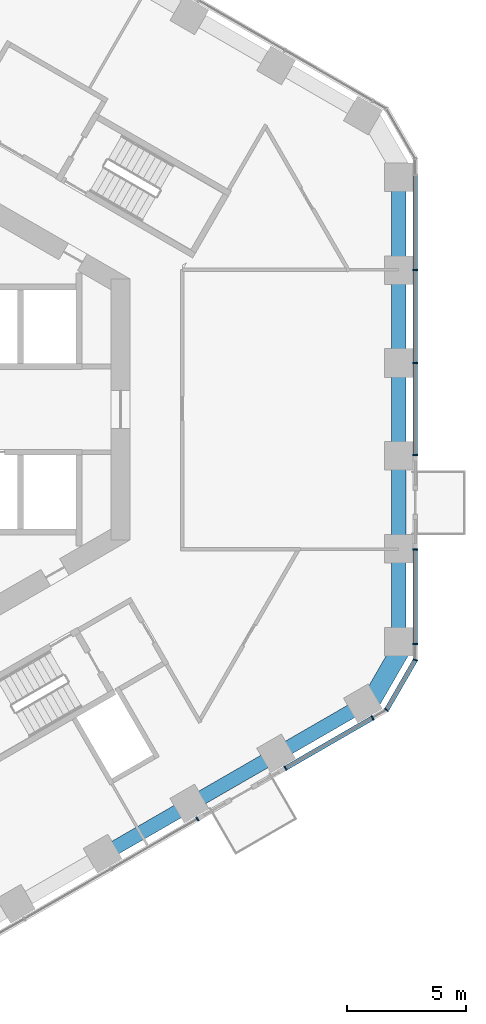
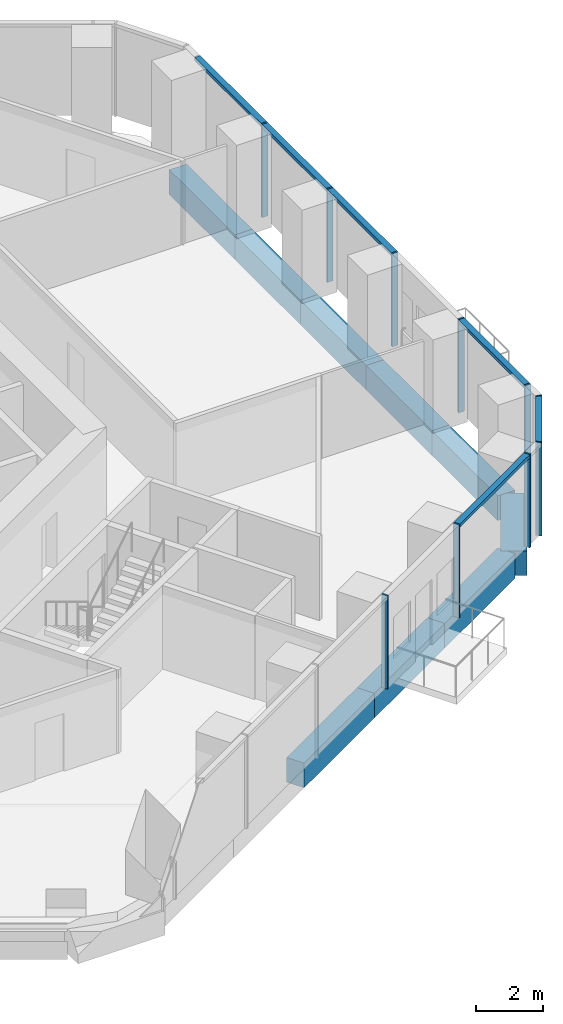
# One storey, part 5 of 20: 14 members, 9 beams, 5 elements without a shape of their own.
"""IFC4 building model written with IfcOpenShell, lengths in metres."""

import ifcopenshell
import ifcopenshell.guid

model = None  # the IFC model being written
_history = None  # IfcOwnerHistory: only IFC2X3 demands one
_inside = {}  # id of a spatial element -> (the spatial element, [elements in it])
_under = {}  # id of a project, library or spatial element -> (it, [spatial elements below it])
_declared = {}  # id of a project -> (the project, [libraries it declares])
_typed = {}  # id of a type object -> (the type object, [elements of that type])
_made_of = {}  # id of a material, layer set ... -> (it, [elements and type objects made of it])


def new_model(schema):
    """Start an empty IFC model of exactly this schema.

    Asked for "IFC4X3", IfcOpenShell would pick the latest addendum, in which some entities
    have other attributes; the version numbers below select the first issue.
    IFC2X3 requires an IfcOwnerHistory on every rooted entity: one is made here for all.
    """
    global model, _history
    if schema == "IFC4X3":
        model = ifcopenshell.file(schema_version=(4, 3, 0, 0))
    else:
        model = ifcopenshell.file(schema=schema)
    _inside.clear()
    _under.clear()
    _declared.clear()
    _typed.clear()
    _made_of.clear()
    _history = None
    if model.schema == "IFC2X3":
        org = make("IfcOrganization", Name="unknown")
        user = make(
            "IfcPersonAndOrganization",
            ThePerson=make("IfcPerson", FamilyName="unknown"),
            TheOrganization=org,
        )
        app = make(
            "IfcApplication",
            ApplicationDeveloper=org,
            Version="unknown",
            ApplicationFullName="unknown",
            ApplicationIdentifier="unknown",
        )
        _history = make(
            "IfcOwnerHistory",
            OwningUser=user,
            OwningApplication=app,
            ChangeAction="ADDED",
            CreationDate=0,
        )
    return model


def make(cls, **values):
    """One entity of the class cls with the attributes given. An attribute that is None is left unset."""
    return model.create_entity(
        cls, **{name: value for name, value in values.items() if value is not None}
    )


def rooted(cls, **values):
    """An entity with a GlobalId (a new one), such as an element, a storey or a relation."""
    return make(cls, GlobalId=ifcopenshell.guid.new(), OwnerHistory=_history, **values)


def si_unit(unit_type, name, prefix=None):
    """IfcSIUnit, for example si_unit("LENGTHUNIT", "METRE", prefix="MILLI")."""
    return make("IfcSIUnit", UnitType=unit_type, Prefix=prefix, Name=name)


def assignment(units):
    """IfcUnitAssignment: the units of a project."""
    return None if units is None else make("IfcUnitAssignment", Units=units)


def point(xyz):
    """IfcCartesianPoint."""
    return None if xyz is None else make("IfcCartesianPoint", Coordinates=xyz)


def direction(xyz):
    """IfcDirection."""
    return None if xyz is None else make("IfcDirection", DirectionRatios=xyz)


def frame(location, z_axis=None, x_axis=None):
    """IfcAxis2Placement3D, a coordinate frame: its origin and axes. An axis left out is left unset."""
    return make(
        "IfcAxis2Placement3D",
        Location=point(location),
        Axis=direction(z_axis),
        RefDirection=direction(x_axis),
    )


def frame_2d(location, x_axis=None):
    """IfcAxis2Placement2D, a coordinate frame in the plane: its origin and x axis."""
    return make(
        "IfcAxis2Placement2D", Location=point(location), RefDirection=direction(x_axis)
    )


def origin():
    """The frame at (0, 0, 0) with its axes left unset."""
    return frame((0.0, 0.0, 0.0))


def origin_2d():
    """The frame at (0, 0) in the plane with its x axis left unset."""
    return frame_2d((0.0, 0.0))


def place(relative_to, where):
    """IfcLocalPlacement: puts the frame where relative to a parent placement (None: the world)."""
    return make(
        "IfcLocalPlacement", PlacementRelTo=relative_to, RelativePlacement=where
    )


def context(
    kind, dimensions, precision=None, world=None, true_north=None, identifier=None
):
    """IfcGeometricRepresentationContext, for example the 3D "Model" context."""
    return make(
        "IfcGeometricRepresentationContext",
        ContextIdentifier=identifier,
        ContextType=kind,
        CoordinateSpaceDimension=dimensions,
        Precision=precision,
        WorldCoordinateSystem=world,
        TrueNorth=true_north,
    )


def subcontext(parent, identifier, kind, view, scale=None):
    """IfcGeometricRepresentationSubContext, for example "Body" below "Model"."""
    return make(
        "IfcGeometricRepresentationSubContext",
        ContextIdentifier=identifier,
        ContextType=kind,
        ParentContext=parent,
        TargetScale=scale,
        TargetView=view,
    )


def project(units=None, contexts=None):
    """IfcProject with its units and contexts."""
    return rooted(
        "IfcProject",
        Name="project",
        RepresentationContexts=contexts,
        UnitsInContext=assignment(units),
    )


def spatial(cls, under=None, at=None, **own):
    """A site, building, storey or space (cls), placed at a placement, below another one or the project."""
    s = rooted(cls, ObjectPlacement=at, **own)
    if under is not None:
        _under.setdefault(under.id(), (under, []))[1].append(s)
    return s


def profile(cls, at=None, kind="AREA", **sizes):
    """A parametric profile (cls). Its sizes go by their IFC names, for example OverallWidth=200.0."""
    return make(cls, ProfileType=kind, Position=at, **sizes)


def rectangle(**sizes):
    """IfcRectangleProfileDef."""
    return profile("IfcRectangleProfileDef", **sizes)


def extrude(swept, where, along, depth):
    """IfcExtrudedAreaSolid: the profile swept, set in the frame where, extruded along a direction by depth."""
    return make(
        "IfcExtrudedAreaSolid",
        SweptArea=swept,
        Position=where,
        ExtrudedDirection=direction(along),
        Depth=depth,
    )


def shape(context_of_items, identifier, shape_type, items):
    """IfcShapeRepresentation: the items that make up one representation, for example the "Body"."""
    return make(
        "IfcShapeRepresentation",
        ContextOfItems=context_of_items,
        RepresentationIdentifier=identifier,
        RepresentationType=shape_type,
        Items=items,
    )


def material(Name=None, Category=None):
    """IfcMaterial."""
    return make("IfcMaterial", Name=Name, Category=Category)


def layer(
    of_material, thickness, ventilated=None, Name=None, Category=None, Priority=None
):
    """IfcMaterialLayer: one layer of a wall or slab, of a material (None: an air gap)."""
    return make(
        "IfcMaterialLayer",
        Material=of_material,
        LayerThickness=thickness,
        IsVentilated=ventilated,
        Name=Name,
        Category=Category,
        Priority=Priority,
    )


def layer_set(layers, Name=None):
    """IfcMaterialLayerSet."""
    return make("IfcMaterialLayerSet", MaterialLayers=layers, LayerSetName=Name)


def material_profile(
    of_material, cross_section, Name=None, Category=None, Priority=None
):
    """IfcMaterialProfile: a cross section and its material."""
    return make(
        "IfcMaterialProfile",
        Name=Name,
        Material=of_material,
        Profile=cross_section,
        Priority=Priority,
        Category=Category,
    )


def profile_set(profiles, Name=None, composite=None):
    """IfcMaterialProfileSet."""
    return make(
        "IfcMaterialProfileSet",
        Name=Name,
        MaterialProfiles=profiles,
        CompositeProfile=composite,
    )


def made_of(thing, what):
    """Note that an element or type object is made of a material, layer set ...; save() writes the relation."""
    if what is not None:
        _made_of.setdefault(what.id(), (what, []))[1].append(thing)
    return thing


def type_object(cls, material=None, **own):
    """A type object (cls), such as IfcWallType, which elements share."""
    return made_of(rooted(cls, **own), material)


def element(
    cls,
    number,
    at=None,
    inside=None,
    cuts=None,
    type_object=None,
    material=None,
    context=None,
    identifier="Body",
    shape_type=None,
    held_by="IfcProductDefinitionShape",
    body=None,
    shapes=None,
    **own,
):
    """One element of the class cls, such as IfcWall. Its Tag is "e" and its number.

    at: its placement. inside: the storey or other place that contains it. cuts: it is an
    opening in that element (IfcRelVoidsElement). A single representation is given by context,
    identifier, shape_type and body (its items); several are given by shapes. held_by: the class
    of the entity that holds the representations. save() writes the other relations.
    """
    e = rooted(cls, Tag="e%d" % number, ObjectPlacement=at, **own)
    if body is not None:
        shapes = [shape(context, identifier, shape_type, body)]
    if shapes is not None:
        e.Representation = make(held_by, Representations=shapes)
    if inside is not None:
        _inside.setdefault(inside.id(), (inside, []))[1].append(e)
    if cuts is not None:
        rooted(
            "IfcRelVoidsElement", RelatingBuildingElement=cuts, RelatedOpeningElement=e
        )
    if type_object is not None:
        _typed.setdefault(type_object.id(), (type_object, []))[1].append(e)
    return made_of(e, material)


def aggregate(whole, parts):
    """IfcRelAggregates: a whole, such as a stair, and the parts it consists of."""
    return rooted("IfcRelAggregates", RelatingObject=whole, RelatedObjects=parts)


def save(model, path):
    """Write the relations noted so far, then the file.

    IfcRelAggregates (storeys below a building ...), IfcRelContainedInSpatialStructure (elements
    in a storey), IfcRelDefinesByType, IfcRelAssociatesMaterial and IfcRelDeclares: one each for
    every whole, place, type object, material and project.
    """
    for whole, parts in _under.values():
        aggregate(whole, parts)
    for where, things in _inside.values():
        rooted(
            "IfcRelContainedInSpatialStructure",
            RelatedElements=things,
            RelatingStructure=where,
        )
    for kind, things in _typed.values():
        rooted("IfcRelDefinesByType", RelatedObjects=things, RelatingType=kind)
    for what, things in _made_of.values():
        rooted("IfcRelAssociatesMaterial", RelatedObjects=things, RelatingMaterial=what)
    for by, libraries in _declared.values():
        rooted("IfcRelDeclares", RelatingContext=by, RelatedDefinitions=libraries)
    model.write(path)


model = new_model("IFC4")

# Units and contexts
model_context = context("Model", 3, precision=1e-05, world=origin(), true_north=direction((0.0, 1.0)))
body_context = subcontext(model_context, "Body", "Model", "MODEL_VIEW")
ifc_project = project(units=[si_unit("LENGTHUNIT", "METRE"), si_unit("AREAUNIT", "SQUARE_METRE"), si_unit("VOLUMEUNIT", "CUBIC_METRE"), si_unit("PLANEANGLEUNIT", "RADIAN"), si_unit("MASSUNIT", "GRAM", prefix="KILO")], contexts=[model_context])

# Site, building, storey
site_placement = place(None, origin())
site = spatial("IfcSite", under=ifc_project, at=site_placement, CompositionType="ELEMENT")
building_placement = place(site_placement, origin())
building = spatial("IfcBuilding", under=site, at=building_placement, Name="Ayvan Gate Tower", CompositionType="ELEMENT")
storey_placement = place(building_placement, frame((0.0, 0.0, 49.300048828125)))
storey = spatial("IfcBuildingStorey", under=building, at=storey_placement, Name="L12", CompositionType="ELEMENT", Elevation=49.300048828125)

# Beams
ifc_material_1 = material(Name="Concrete C40/50", Category="concrete")
ifc_material_profile_1 = material_profile(ifc_material_1, rectangle(XDim=0.800048828125, YDim=0.89990234375, at=origin_2d()), Name="RC 800x900")
ifc_profile_set_1 = profile_set([ifc_material_profile_1], Name="Concrete C40/50")
beam_type_1 = type_object("IfcBeamType", Name="Corner spandrel beam RC 800x900 C40/50", PredefinedType="BEAM", material=ifc_profile_set_1)
beam_1_placement = place(storey_placement, frame((19.47509765625, -12.512451171875, -0.800048828125), z_axis=(0.499990139034, 0.866031096941, 0.0), x_axis=(-0.866031096941, 0.499990139034, 0.0)))
element("IfcBeam", 1, at=beam_1_placement, inside=storey, type_object=beam_type_1, Name="SB-L12-36", PredefinedType="BEAM", context=body_context, shape_type="SweptSolid", body=[
    extrude(rectangle(XDim=0.800048828125, YDim=0.89990234375, at=origin_2d()), origin(), (0.0, 0.0, 1.0), 3.0),
])
ifc_material_profile_2 = material_profile(ifc_material_1, rectangle(XDim=0.60009765625, YDim=0.89990234375, at=origin_2d()), Name="RC 600x900")
ifc_profile_set_2 = profile_set([ifc_material_profile_2], Name="Concrete C40/50")
beam_type_2 = type_object("IfcBeamType", Name="Spandrel beam RC 600x900 C40/50", PredefinedType="BEAM", material=ifc_profile_set_2)
beam_2_placement = place(storey_placement, frame((20.78466796875, -9.804443359375, -0.800048828125), z_axis=(0.0, 1.0, 0.0), x_axis=(-1.0, 0.0, 0.0)))
element("IfcBeam", 2, at=beam_2_placement, inside=storey, type_object=beam_type_2, Name="SB-L12-1", PredefinedType="BEAM", context=body_context, shape_type="SweptSolid", body=[
    extrude(rectangle(XDim=0.60009765625, YDim=0.89990234375, at=origin_2d()), origin(), (0.0, 0.0, 1.0), 3.921875),
])
beam_3_placement = place(storey_placement, frame((20.78466796875, -5.882568359375, -0.800048828125), z_axis=(0.0, 1.0, 0.0), x_axis=(-1.0, 0.0, 0.0)))
element("IfcBeam", 3, at=beam_3_placement, inside=storey, type_object=beam_type_2, Name="SB-L12-2", PredefinedType="BEAM", context=body_context, shape_type="SweptSolid", body=[
    extrude(rectangle(XDim=0.60009765625, YDim=0.89990234375, at=origin_2d()), origin(), (0.0, 0.0, 1.0), 3.921630859375),
])
beam_4_placement = place(storey_placement, frame((20.78466796875, -1.9609375, -0.800048828125), z_axis=(0.0, 1.0, 0.0), x_axis=(-1.0, 0.0, 0.0)))
element("IfcBeam", 4, at=beam_4_placement, inside=storey, type_object=beam_type_2, Name="SB-L12-3", PredefinedType="BEAM", context=body_context, shape_type="SweptSolid", body=[
    extrude(rectangle(XDim=0.60009765625, YDim=0.89990234375, at=origin_2d()), origin(), (0.0, 0.0, 1.0), 3.921875),
])
beam_5_placement = place(storey_placement, frame((20.78466796875, 1.9609375, -0.800048828125), z_axis=(0.0, 1.0, 0.0), x_axis=(-1.0, 0.0, 0.0)))
element("IfcBeam", 5, at=beam_5_placement, inside=storey, type_object=beam_type_2, Name="SB-L12-4", PredefinedType="BEAM", context=body_context, shape_type="SweptSolid", body=[
    extrude(rectangle(XDim=0.60009765625, YDim=0.89990234375, at=origin_2d()), origin(), (0.0, 0.0, 1.0), 3.921630859375),
])
beam_6_placement = place(storey_placement, frame((20.78466796875, 5.882568359375, -0.800048828125), z_axis=(0.0, 1.0, 0.0), x_axis=(-1.0, 0.0, 0.0)))
element("IfcBeam", 6, at=beam_6_placement, inside=storey, type_object=beam_type_2, Name="SB-L12-5", PredefinedType="BEAM", context=body_context, shape_type="SweptSolid", body=[
    extrude(rectangle(XDim=0.60009765625, YDim=0.89990234375, at=origin_2d()), origin(), (0.0, 0.0, 1.0), 3.921875),
])
for number, where, z_axis, x_axis, name in (
    (7, (8.373046875, -18.702392578125, -0.800048828125), (0.866009402589, 0.500027713859, 0.0), (-0.500027713859, 0.866009402589, 0.0), "SB-L12-33"),
    (8, (12.01025390625, -16.602294921875, -0.800048828125), (0.866034573852, 0.49998411664, 0.0), (-0.49998411664, 0.866034573852, 0.0), "SB-L12-34"),
    (9, (15.6474609375, -14.50244140625, -0.800048828125), (0.866009402589, 0.500027713859, 0.0), (-0.500027713859, 0.866009402589, 0.0), "SB-L12-35"),
):
    element("IfcBeam", number, at=place(storey_placement, frame(where, z_axis=z_axis, x_axis=x_axis)), inside=storey, type_object=beam_type_2, Name=name, PredefinedType="BEAM", context=body_context, shape_type="SweptSolid", body=[
        extrude(rectangle(XDim=0.60009765625, YDim=0.89990234375, at=origin_2d()), origin(), (0.0, 0.0, 1.0), 4.199951171875),
    ])

# Curtain wall, member
ifc_material_2 = material(Name="Bronze anodised aluminium", Category="aluminium")
ifc_layer_1 = layer(ifc_material_2, 0.199951171875)
ifc_layer_set_1 = layer_set([ifc_layer_1], Name="Bronze anodised aluminium")
curtain_wall_type_1 = type_object("IfcCurtainWallType", Name="Stick curtain wall CW-1", PredefinedType="NOTDEFINED", material=ifc_layer_set_1)
curtain_wall_1_placement = place(storey_placement, origin())
curtain_wall_1 = element("IfcCurtainWall", 10, at=curtain_wall_1_placement, inside=storey, type_object=curtain_wall_type_1, Name="Stick curtain wall CW-1 L12", PredefinedType="NOTDEFINED")
ifc_material_profile_3 = material_profile(ifc_material_2, rectangle(XDim=0.199951171875, YDim=0.06005859375, at=origin_2d()), Name="Stick curtain wall CW-1 mullion 200 x 60")
ifc_profile_set_3 = profile_set([ifc_material_profile_3], Name="Bronze anodised aluminium")
member_type_1 = type_object("IfcMemberType", Name="Stick curtain wall CW-1 mullion 200 x 60", PredefinedType="MULLION", material=ifc_profile_set_3)
member_1_placement = place(storey_placement, frame((12.33154296875, -17.208984375, 0.0), z_axis=(0.0, 0.0, 1.0), x_axis=(0.5, -0.866025403784, 0.0)))
member_1 = element("IfcMember", 11, at=member_1_placement, type_object=member_type_1, Name="CW-1 mullion 4", PredefinedType="MULLION", context=body_context, shape_type="SweptSolid", body=[
    extrude(rectangle(XDim=0.199951171875, YDim=0.06005859375, at=origin_2d()), origin(), (0.0, 0.0, 1.0), 3.39990234375),
])
aggregate(curtain_wall_1, [member_1])

# Curtain wall, members
curtain_wall_2_placement = place(storey_placement, origin())
curtain_wall_2 = element("IfcCurtainWall", 12, at=curtain_wall_2_placement, inside=storey, type_object=curtain_wall_type_1, Name="Stick curtain wall CW-1 L12", PredefinedType="NOTDEFINED")
member_2_placement = place(storey_placement, frame((16.029541015625, -15.073974609375, 0.0), z_axis=(0.0, 0.0, 1.0), x_axis=(0.5, -0.866025403784, 0.0)))
member_2 = element("IfcMember", 13, at=member_2_placement, type_object=member_type_1, Name="CW-1 mullion 1", PredefinedType="MULLION", context=body_context, shape_type="SweptSolid", body=[
    extrude(rectangle(XDim=0.199951171875, YDim=0.06005859375, at=origin_2d()), origin(), (0.0, 0.0, 1.0), 3.39990234375),
])
member_3_placement = place(storey_placement, frame((19.6884765625, -12.96142578125, 0.0), z_axis=(0.0, 0.0, 1.0), x_axis=(0.5, -0.866025403784, 0.0)))
member_3 = element("IfcMember", 14, at=member_3_placement, type_object=member_type_1, Name="CW-1 mullion 2", PredefinedType="MULLION", context=body_context, shape_type="SweptSolid", body=[
    extrude(rectangle(XDim=0.199951171875, YDim=0.06005859375, at=origin_2d()), origin(), (0.0, 0.0, 1.0), 3.39990234375),
])

curtain_wall_3_placement = place(storey_placement, origin())
curtain_wall_3 = element("IfcCurtainWall", 15, at=curtain_wall_3_placement, inside=storey, type_object=curtain_wall_type_1, Name="Stick curtain wall CW-1 L12", PredefinedType="NOTDEFINED")
member_4_placement = place(storey_placement, frame((21.484619140625, -9.850341796875, 0.0), z_axis=(0.0, 0.0, 1.0), x_axis=(1.0, 0.0, 0.0)))
member_4 = element("IfcMember", 16, at=member_4_placement, type_object=member_type_1, Name="CW-1 mullion 1", PredefinedType="MULLION", context=body_context, shape_type="SweptSolid", body=[
    extrude(rectangle(XDim=0.199951171875, YDim=0.06005859375, at=origin_2d()), origin(), (0.0, 0.0, 1.0), 3.39990234375),
])
member_5_placement = place(storey_placement, frame((21.484619140625, -5.88232421875, 0.0), z_axis=(0.0, 0.0, 1.0), x_axis=(1.0, 0.0, 0.0)))
member_5 = element("IfcMember", 17, at=member_5_placement, type_object=member_type_1, Name="CW-1 mullion 2", PredefinedType="MULLION", context=body_context, shape_type="SweptSolid", body=[
    extrude(rectangle(XDim=0.199951171875, YDim=0.06005859375, at=origin_2d()), origin(), (0.0, 0.0, 1.0), 3.39990234375),
])

curtain_wall_4_placement = place(storey_placement, origin())
curtain_wall_4 = element("IfcCurtainWall", 18, at=curtain_wall_4_placement, inside=storey, type_object=curtain_wall_type_1, Name="Stick curtain wall CW-1 L12", PredefinedType="NOTDEFINED")
member_6_placement = place(storey_placement, frame((21.484619140625, -1.92041015625, 0.0), z_axis=(0.0, 0.0, 1.0), x_axis=(1.0, 0.0, 0.0)))
member_6 = element("IfcMember", 19, at=member_6_placement, type_object=member_type_1, Name="CW-1 mullion 1", PredefinedType="MULLION", context=body_context, shape_type="SweptSolid", body=[
    extrude(rectangle(XDim=0.199951171875, YDim=0.06005859375, at=origin_2d()), origin(), (0.0, 0.0, 1.0), 3.39990234375),
])
member_7_placement = place(storey_placement, frame((21.484619140625, 1.95068359375, 0.0), z_axis=(0.0, 0.0, 1.0), x_axis=(1.0, 0.0, 0.0)))
member_7 = element("IfcMember", 20, at=member_7_placement, type_object=member_type_1, Name="CW-1 mullion 2", PredefinedType="MULLION", context=body_context, shape_type="SweptSolid", body=[
    extrude(rectangle(XDim=0.199951171875, YDim=0.06005859375, at=origin_2d()), origin(), (0.0, 0.0, 1.0), 3.39990234375),
])
member_8_placement = place(storey_placement, frame((21.484619140625, 5.8525390625, 0.0), z_axis=(0.0, 0.0, 1.0), x_axis=(1.0, 0.0, 0.0)))
member_8 = element("IfcMember", 21, at=member_8_placement, type_object=member_type_1, Name="CW-1 mullion 3", PredefinedType="MULLION", context=body_context, shape_type="SweptSolid", body=[
    extrude(rectangle(XDim=0.199951171875, YDim=0.06005859375, at=origin_2d()), origin(), (0.0, 0.0, 1.0), 3.39990234375),
])

# Member
ifc_material_profile_4 = material_profile(ifc_material_2, rectangle(XDim=0.199951171875, YDim=0.1201171875, at=origin_2d()), Name="Stick curtain wall CW-1 transom 200 x 120")
ifc_profile_set_4 = profile_set([ifc_material_profile_4], Name="Bronze anodised aluminium")
member_type_2 = type_object("IfcMemberType", Name="Stick curtain wall CW-1 transom 200 x 120", PredefinedType="USERDEFINED", material=ifc_profile_set_4)
member_9_placement = place(storey_placement, frame((16.029541015625, -15.073974609375, 3.33984375), z_axis=(0.866019110416, 0.500010900276, 0.0), x_axis=(-0.500010900276, 0.866019110416, 0.0)))
member_9 = element("IfcMember", 22, at=member_9_placement, type_object=member_type_2, Name="CW-1 transom 1", ObjectType="TRANSOM", PredefinedType="USERDEFINED", context=body_context, shape_type="SweptSolid", body=[
    extrude(rectangle(XDim=0.199951171875, YDim=0.1201171875, at=origin_2d()), origin(), (0.0, 0.0, 1.0), 4.22509765625),
])

aggregate(curtain_wall_2, [member_2, member_3, member_9])

member_10_placement = place(storey_placement, frame((21.484619140625, -9.850341796875, 3.33984375), z_axis=(0.0, 1.0, 0.0), x_axis=(-1.0, 0.0, 0.0)))
member_10 = element("IfcMember", 23, at=member_10_placement, type_object=member_type_2, Name="CW-1 transom 1", ObjectType="TRANSOM", PredefinedType="USERDEFINED", context=body_context, shape_type="SweptSolid", body=[
    extrude(rectangle(XDim=0.199951171875, YDim=0.1201171875, at=origin_2d()), origin(), (0.0, 0.0, 1.0), 3.968017578125),
])

aggregate(curtain_wall_3, [member_4, member_5, member_10])

member_11_placement = place(storey_placement, frame((21.484619140625, -1.92041015625, 3.33984375), z_axis=(0.0, 1.0, 0.0), x_axis=(-1.0, 0.0, 0.0)))
member_11 = element("IfcMember", 24, at=member_11_placement, type_object=member_type_2, Name="CW-1 transom 1", ObjectType="TRANSOM", PredefinedType="USERDEFINED", context=body_context, shape_type="SweptSolid", body=[
    extrude(rectangle(XDim=0.199951171875, YDim=0.1201171875, at=origin_2d()), origin(), (0.0, 0.0, 1.0), 11.770751953125),
])

aggregate(curtain_wall_4, [member_6, member_7, member_8, member_11])

# Curtain wall, members
ifc_layer_2 = layer(ifc_material_2, 0.199951171875)
ifc_layer_set_2 = layer_set([ifc_layer_2], Name="Bronze anodised aluminium")
curtain_wall_type_2 = type_object("IfcCurtainWallType", Name="Stick curtain wall CW-6", PredefinedType="NOTDEFINED", material=ifc_layer_set_2)
curtain_wall_5_placement = place(storey_placement, origin())
curtain_wall_5 = element("IfcCurtainWall", 25, at=curtain_wall_5_placement, inside=storey, type_object=curtain_wall_type_2, Name="Stick curtain wall CW-6 L12", PredefinedType="NOTDEFINED")
ifc_material_profile_5 = material_profile(ifc_material_2, rectangle(XDim=0.199951171875, YDim=0.050048828125, at=origin_2d()), Name="Stick curtain wall CW-6 mullion 200 x 50")
ifc_profile_set_5 = profile_set([ifc_material_profile_5], Name="Bronze anodised aluminium")
member_type_3 = type_object("IfcMemberType", Name="Stick curtain wall CW-6 mullion 200 x 50", PredefinedType="MULLION", material=ifc_profile_set_5)
member_12_placement = place(storey_placement, frame((20.27734375, -12.62158203125, 0.0), z_axis=(0.0, 0.0, 1.0), x_axis=(0.707106781187, -0.707106781187, 0.0)))
member_12 = element("IfcMember", 26, at=member_12_placement, type_object=member_type_3, Name="CW-6 mullion 2", PredefinedType="MULLION", context=body_context, shape_type="SweptSolid", body=[
    extrude(rectangle(XDim=0.199951171875, YDim=0.050048828125, at=origin_2d()), origin(), (0.0, 0.0, 1.0), 3.39990234375),
])
member_13_placement = place(storey_placement, frame((21.484619140625, -10.530517578125, 0.0), z_axis=(0.0, 0.0, 1.0), x_axis=(0.965925826289, -0.258819045103, 0.0)))
member_13 = element("IfcMember", 27, at=member_13_placement, type_object=member_type_3, Name="CW-6 mullion 3", PredefinedType="MULLION", context=body_context, shape_type="SweptSolid", body=[
    extrude(rectangle(XDim=0.199951171875, YDim=0.050048828125, at=origin_2d()), origin(), (0.0, 0.0, 1.0), 3.39990234375),
])
ifc_material_profile_6 = material_profile(ifc_material_2, rectangle(XDim=0.199951171875, YDim=0.1201171875, at=origin_2d()), Name="Stick curtain wall CW-6 transom 200 x 120")
ifc_profile_set_6 = profile_set([ifc_material_profile_6], Name="Bronze anodised aluminium")
member_type_4 = type_object("IfcMemberType", Name="Stick curtain wall CW-6 transom 200 x 120", PredefinedType="USERDEFINED", material=ifc_profile_set_6)
member_14_placement = place(storey_placement, frame((20.289794921875, -12.599853515625, 3.33984375), z_axis=(0.500014398087, 0.866017090885, 0.0), x_axis=(-0.866017090885, 0.500014398087, 0.0)))
member_14 = element("IfcMember", 28, at=member_14_placement, type_object=member_type_4, Name="CW-6 transom 2", ObjectType="TRANSOM", PredefinedType="USERDEFINED", context=body_context, shape_type="SweptSolid", body=[
    extrude(rectangle(XDim=0.199951171875, YDim=0.1201171875, at=origin_2d()), origin(), (0.0, 0.0, 1.0), 2.36474609375),
])
aggregate(curtain_wall_5, [member_12, member_13, member_14])

save(model, "model.ifc")
